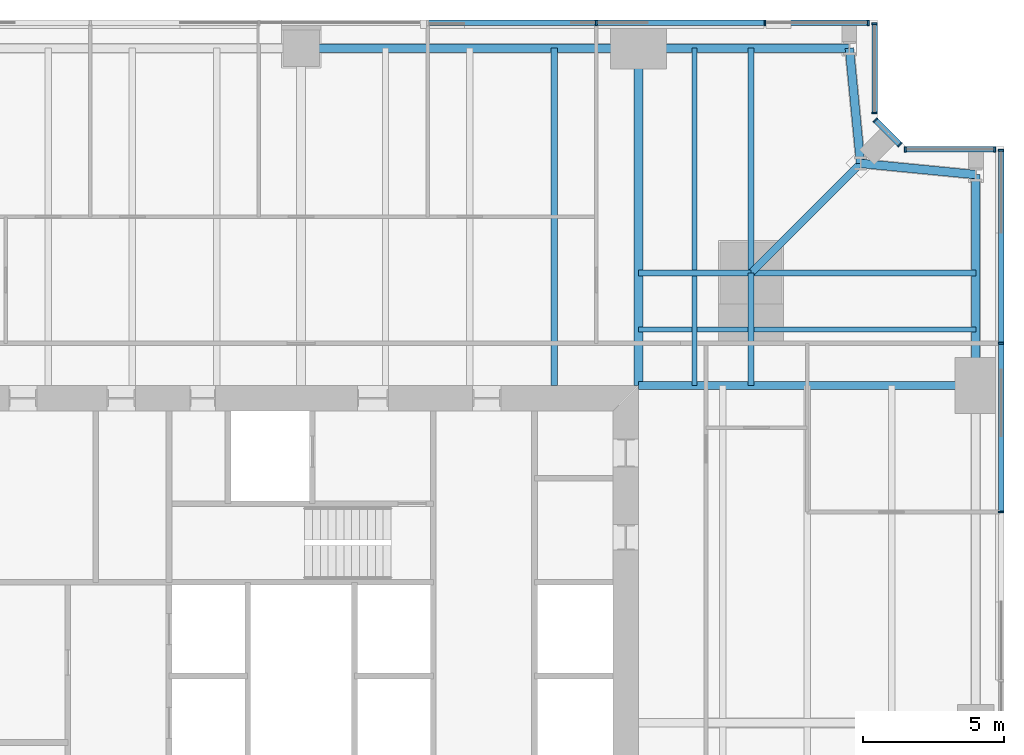
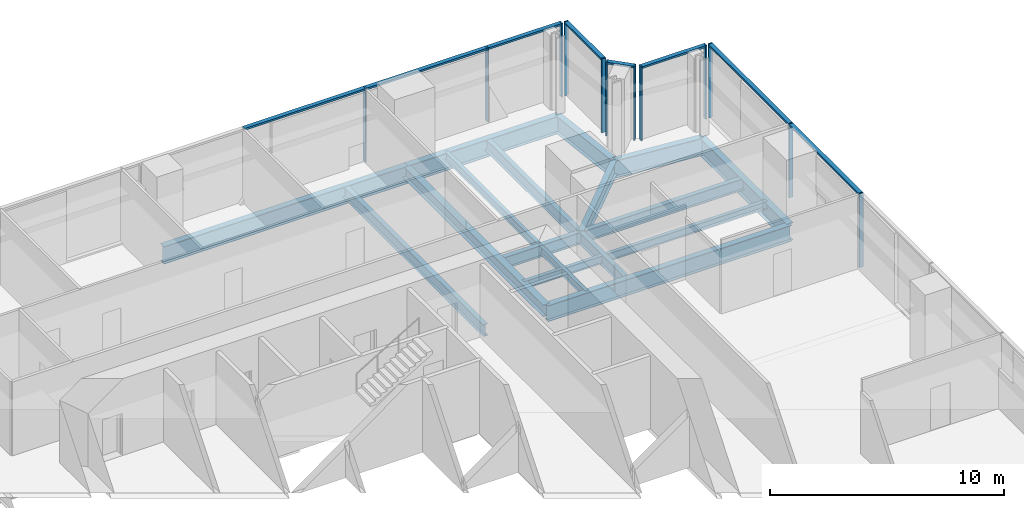
# One storey, part 7 of 14: 20 members, 18 beams, 5 elements without a shape of their own.
"""IFC4 building model written with IfcOpenShell, lengths in metres."""

from ifc_helpers import new_model, si_unit, direction, frame, origin, origin_2d, place, context, subcontext, project, spatial, rectangle, i_section, extrude, material, material_profile, profile_set, type_object, element, aggregate, save


model = new_model("IFC4")

# Units and contexts
model_context = context("Model", 3, precision=1e-05, world=origin(), true_north=direction((0.0, 1.0)))
body_context = subcontext(model_context, "Body", "Model", "MODEL_VIEW")
ifc_project = project(units=[si_unit("LENGTHUNIT", "METRE"), si_unit("AREAUNIT", "SQUARE_METRE"), si_unit("VOLUMEUNIT", "CUBIC_METRE"), si_unit("PLANEANGLEUNIT", "RADIAN"), si_unit("MASSUNIT", "GRAM", prefix="KILO")], contexts=[model_context])

# Site, building, storey
site_placement = place(None, origin())
site = spatial("IfcSite", under=ifc_project, at=site_placement, CompositionType="ELEMENT")
building_placement = place(site_placement, origin())
building = spatial("IfcBuilding", under=site, at=building_placement, Name="Fenwick Lantern Interchange", CompositionType="ELEMENT")
storey_placement = place(building_placement, frame((0.0, 0.0, 154.39990234375)))
storey = spatial("IfcBuildingStorey", under=building, at=storey_placement, Name="L36", CompositionType="ELEMENT", Elevation=154.39990234375)

# Beams
ifc_material_1 = material(Name="Steel ASTM A992 Grade 50", Category="steel")
ifc_material_profile_1 = material_profile(ifc_material_1, i_section(OverallWidth=0.3046875, OverallDepth=0.911865234375, WebThickness=0.015869140625, FlangeThickness=0.02392578125, at=origin_2d()), Name="W36X150")
ifc_profile_set_1 = profile_set([ifc_material_profile_1], Name="Steel ASTM A992 Grade 50")
beam_type_1 = type_object("IfcBeamType", Name="EDGE BEAM W36X150", PredefinedType="SPANDREL", material=ifc_profile_set_1)
beam_1_placement = place(storey_placement, frame((49.0, 37.0, -0.605712890625), z_axis=(0.0, 1.0, 0.0), x_axis=(-1.0, 0.0, 0.0)))
element("IfcBeam", 1, at=beam_1_placement, inside=storey, type_object=beam_type_1, Name="L36/FR/E/EB4", PredefinedType="SPANDREL", context=body_context, shape_type="SweptSolid", body=[
    extrude(i_section(OverallWidth=0.3046875, OverallDepth=0.911865234375, WebThickness=0.015869140625, FlangeThickness=0.02392578125, at=origin_2d()), origin(), (0.0, 0.0, 1.0), 7.5),
])
for number, where, z_axis, x_axis, name in (
    (2, (49.0, 44.5, -0.605712890625), (-0.995277148028, 0.097074191287, 0.0), (-0.097074191287, -0.995277148028, 0.0), "L36/FR/E/EBR1"),
    (3, (44.89990234375, 44.89990234375, -0.605712890625), (-0.097074191287, 0.995277148028, 0.0), (-0.995277148028, -0.097074191287, 0.0), "L36/FR/E/EBR2"),
):
    element("IfcBeam", number, at=place(storey_placement, frame(where, z_axis=z_axis, x_axis=x_axis)), inside=storey, type_object=beam_type_1, Name=name, PredefinedType="SPANDREL", context=body_context, shape_type="SweptSolid", body=[
        extrude(i_section(OverallWidth=0.3046875, OverallDepth=0.911865234375, WebThickness=0.015869140625, FlangeThickness=0.02392578125, at=origin_2d()), origin(), (0.0, 0.0, 1.0), 4.11962890625),
    ])
beam_2_placement = place(storey_placement, frame((44.5, 49.0, -0.605712890625), z_axis=(-1.0, 0.0, 0.0), x_axis=(0.0, -1.0, 0.0)))
element("IfcBeam", 4, at=beam_2_placement, inside=storey, type_object=beam_type_1, Name="L36/FR/N/EB1", PredefinedType="SPANDREL", context=body_context, shape_type="SweptSolid", body=[
    extrude(i_section(OverallWidth=0.3046875, OverallDepth=0.911865234375, WebThickness=0.015869140625, FlangeThickness=0.02392578125, at=origin_2d()), origin(), (0.0, 0.0, 1.0), 7.5),
])
beam_3_placement = place(storey_placement, frame((37.0, 49.0, -0.605712890625), z_axis=(-1.0, 0.0, 0.0), x_axis=(0.0, -1.0, 0.0)))
element("IfcBeam", 5, at=beam_3_placement, inside=storey, type_object=beam_type_1, Name="L36/FR/N/EB2", PredefinedType="SPANDREL", context=body_context, shape_type="SweptSolid", body=[
    extrude(i_section(OverallWidth=0.3046875, OverallDepth=0.911865234375, WebThickness=0.015869140625, FlangeThickness=0.02392578125, at=origin_2d()), origin(), (0.0, 0.0, 1.0), 12.0),
])
ifc_material_profile_2 = material_profile(ifc_material_1, i_section(OverallWidth=0.22900390625, OverallDepth=0.612060546875, WebThickness=0.011962890625, FlangeThickness=0.01953125, at=origin_2d()), Name="W24X84")
ifc_profile_set_2 = profile_set([ifc_material_profile_2], Name="Steel ASTM A992 Grade 50")
beam_type_2 = type_object("IfcBeamType", Name="FLOOR BEAM W24X84", PredefinedType="BEAM", material=ifc_profile_set_2)
beam_4_placement = place(storey_placement, frame((34.0, 49.0, -0.4560546875), z_axis=(0.0, -1.0, 0.0), x_axis=(1.0, 0.0, 0.0)))
element("IfcBeam", 6, at=beam_4_placement, inside=storey, type_object=beam_type_2, Name="L36/FR/N/R02", PredefinedType="BEAM", context=body_context, shape_type="SweptSolid", body=[
    extrude(i_section(OverallWidth=0.22900390625, OverallDepth=0.612060546875, WebThickness=0.011962890625, FlangeThickness=0.01953125, at=origin_2d()), origin(), (0.0, 0.0, 1.0), 12.0),
])
ifc_material_profile_3 = material_profile(ifc_material_1, i_section(OverallWidth=0.177734375, OverallDepth=0.406494140625, WebThickness=0.0078125, FlangeThickness=0.012939453125, at=origin_2d()), Name="W16X40")
ifc_profile_set_3 = profile_set([ifc_material_profile_3], Name="Steel ASTM A992 Grade 50")
beam_type_3 = type_object("IfcBeamType", Name="INFILL BEAM W16X40", PredefinedType="JOIST", material=ifc_profile_set_3)
beam_5_placement = place(storey_placement, frame((39.0, 49.0, -0.35302734375), z_axis=(0.0, -1.0, 0.0), x_axis=(1.0, 0.0, 0.0)))
element("IfcBeam", 7, at=beam_5_placement, inside=storey, type_object=beam_type_3, Name="L36/FR/N/J1", PredefinedType="JOIST", context=body_context, shape_type="SweptSolid", body=[
    extrude(i_section(OverallWidth=0.177734375, OverallDepth=0.406494140625, WebThickness=0.0078125, FlangeThickness=0.012939453125, at=origin_2d()), origin(), (0.0, 0.0, 1.0), 7.885498046875),
])
beam_6_placement = place(storey_placement, frame((39.0, 40.885498046875, -0.35302734375), z_axis=(0.0, -1.0, 0.0), x_axis=(1.0, 0.0, 0.0)))
element("IfcBeam", 8, at=beam_6_placement, inside=storey, type_object=beam_type_3, Name="L36/FR/N/J2", PredefinedType="JOIST", context=body_context, shape_type="SweptSolid", body=[
    extrude(i_section(OverallWidth=0.177734375, OverallDepth=0.406494140625, WebThickness=0.0078125, FlangeThickness=0.012939453125, at=origin_2d()), origin(), (0.0, 0.0, 1.0), 3.885498046875),
])
beam_7_placement = place(storey_placement, frame((49.0, 39.0, -0.35302734375), z_axis=(-1.0, 0.0, 0.0), x_axis=(0.0, -1.0, 0.0)))
element("IfcBeam", 9, at=beam_7_placement, inside=storey, type_object=beam_type_3, Name="L36/FR/N/J3", PredefinedType="JOIST", context=body_context, shape_type="SweptSolid", body=[
    extrude(i_section(OverallWidth=0.177734375, OverallDepth=0.406494140625, WebThickness=0.0078125, FlangeThickness=0.012939453125, at=origin_2d()), origin(), (0.0, 0.0, 1.0), 7.885498046875),
])
beam_8_placement = place(storey_placement, frame((40.885498046875, 39.0, -0.35302734375), z_axis=(-1.0, 0.0, 0.0), x_axis=(0.0, -1.0, 0.0)))
element("IfcBeam", 10, at=beam_8_placement, inside=storey, type_object=beam_type_3, Name="L36/FR/N/J4", PredefinedType="JOIST", context=body_context, shape_type="SweptSolid", body=[
    extrude(i_section(OverallWidth=0.177734375, OverallDepth=0.406494140625, WebThickness=0.0078125, FlangeThickness=0.012939453125, at=origin_2d()), origin(), (0.0, 0.0, 1.0), 1.796630859375),
])
beam_9_placement = place(storey_placement, frame((38.9111328125, 39.0, -0.35302734375), z_axis=(-1.0, 0.0, 0.0), x_axis=(0.0, -1.0, 0.0)))
element("IfcBeam", 11, at=beam_9_placement, inside=storey, type_object=beam_type_3, Name="L36/FR/N/J5", PredefinedType="JOIST", context=body_context, shape_type="SweptSolid", body=[
    extrude(i_section(OverallWidth=0.177734375, OverallDepth=0.406494140625, WebThickness=0.0078125, FlangeThickness=0.012939453125, at=origin_2d()), origin(), (0.0, 0.0, 1.0), 1.9111328125),
])
ifc_material_profile_4 = material_profile(ifc_material_1, i_section(OverallWidth=0.22900390625, OverallDepth=0.612060546875, WebThickness=0.011962890625, FlangeThickness=0.01953125, at=origin_2d()), Name="W24X84")
ifc_profile_set_4 = profile_set([ifc_material_profile_4], Name="Steel ASTM A992 Grade 50")
beam_type_4 = type_object("IfcBeamType", Name="MEGA COLUMN BEAM W24X84", PredefinedType="BEAM", material=ifc_profile_set_4)
for number, where, z_axis, x_axis, name in (
    (12, (41.0, 41.0, -0.4560546875), (0.0, 1.0, 0.0), (-1.0, 0.0, 0.0), "L36/FR/N/MB1"),
    (13, (41.0, 41.0, -0.4560546875), (1.0, 0.0, 0.0), (0.0, 1.0, 0.0), "L36/FR/N/MB2"),
):
    element("IfcBeam", number, at=place(storey_placement, frame(where, z_axis=z_axis, x_axis=x_axis)), inside=storey, type_object=beam_type_4, Name=name, PredefinedType="BEAM", context=body_context, shape_type="SweptSolid", body=[
        extrude(i_section(OverallWidth=0.22900390625, OverallDepth=0.612060546875, WebThickness=0.011962890625, FlangeThickness=0.01953125, at=origin_2d()), origin(), (0.0, 0.0, 1.0), 8.0),
    ])
for number, where, z_axis, x_axis, name in (
    (14, (41.0, 41.0, -0.4560546875), (-1.0, 0.0, 0.0), (0.0, -1.0, 0.0), "L36/FR/N/MB3"),
    (15, (41.0, 41.0, -0.4560546875), (0.0, -1.0, 0.0), (1.0, 0.0, 0.0), "L36/FR/N/MB4"),
):
    element("IfcBeam", number, at=place(storey_placement, frame(where, z_axis=z_axis, x_axis=x_axis)), inside=storey, type_object=beam_type_4, Name=name, PredefinedType="BEAM", context=body_context, shape_type="SweptSolid", body=[
        extrude(i_section(OverallWidth=0.22900390625, OverallDepth=0.612060546875, WebThickness=0.011962890625, FlangeThickness=0.01953125, at=origin_2d()), origin(), (0.0, 0.0, 1.0), 4.0),
    ])
ifc_material_profile_5 = material_profile(ifc_material_1, i_section(OverallWidth=0.32763671875, OverallDepth=0.622314453125, WebThickness=0.015380859375, FlangeThickness=0.0244140625, at=origin_2d()), Name="W24X131")
ifc_profile_set_5 = profile_set([ifc_material_profile_5], Name="Steel ASTM A992 Grade 50")
beam_type_5 = type_object("IfcBeamType", Name="MOMENT-CONNECTED GIRDER W24X131", PredefinedType="BEAM", material=ifc_profile_set_5)
beam_10_placement = place(storey_placement, frame((37.0, 49.0, -0.4609375), z_axis=(0.0, -1.0, 0.0), x_axis=(1.0, 0.0, 0.0)))
element("IfcBeam", 16, at=beam_10_placement, inside=storey, type_object=beam_type_5, Name="L36/FR/N/R01", PredefinedType="BEAM", context=body_context, shape_type="SweptSolid", body=[
    extrude(i_section(OverallWidth=0.32763671875, OverallDepth=0.622314453125, WebThickness=0.015380859375, FlangeThickness=0.0244140625, at=origin_2d()), origin(), (0.0, 0.0, 1.0), 12.0),
])
ifc_material_profile_6 = material_profile(ifc_material_1, i_section(OverallWidth=0.2919921875, OverallDepth=0.845703125, WebThickness=0.015380859375, FlangeThickness=0.0244140625, at=origin_2d()), Name="W33X141")
ifc_profile_set_6 = profile_set([ifc_material_profile_6], Name="Steel ASTM A992 Grade 50")
beam_type_6 = type_object("IfcBeamType", Name="MOMENT-CONNECTED GIRDER W33X141", PredefinedType="BEAM", material=ifc_profile_set_6)
beam_11_placement = place(storey_placement, frame((49.0, 37.0, -0.57275390625), z_axis=(-1.0, 0.0, 0.0), x_axis=(0.0, -1.0, 0.0)))
element("IfcBeam", 17, at=beam_11_placement, inside=storey, type_object=beam_type_6, Name="L36/FR/E/R03", PredefinedType="BEAM", context=body_context, shape_type="SweptSolid", body=[
    extrude(i_section(OverallWidth=0.2919921875, OverallDepth=0.845703125, WebThickness=0.015380859375, FlangeThickness=0.0244140625, at=origin_2d()), origin(), (0.0, 0.0, 1.0), 12.0),
])
ifc_material_profile_7 = material_profile(ifc_material_1, i_section(OverallWidth=0.2666015625, OverallDepth=0.7568359375, WebThickness=0.013916015625, FlangeThickness=0.019287109375, at=origin_2d()), Name="W30X108")
ifc_profile_set_7 = profile_set([ifc_material_profile_7], Name="Steel ASTM A992 Grade 50")
beam_type_7 = type_object("IfcBeamType", Name="NOTCH BEAM W30X108", PredefinedType="BEAM", material=ifc_profile_set_7)
beam_12_placement = place(storey_placement, frame((41.0, 41.0, -0.5283203125), z_axis=(0.707106781187, 0.707106781187, 0.0), x_axis=(-0.707106781187, 0.707106781187, 0.0)))
element("IfcBeam", 18, at=beam_12_placement, inside=storey, type_object=beam_type_7, Name="L36/FR/N/TG", PredefinedType="BEAM", context=body_context, shape_type="SweptSolid", body=[
    extrude(i_section(OverallWidth=0.2666015625, OverallDepth=0.7568359375, WebThickness=0.013916015625, FlangeThickness=0.019287109375, at=origin_2d()), origin(), (0.0, 0.0, 1.0), 5.515380859375),
])

# Curtain wall, members
ifc_material_2 = material(Name="Aluminium curtain wall frame", Category="aluminium")
curtain_wall_type = type_object("IfcCurtainWallType", Name="OFFICE CURTAIN WALL", PredefinedType="USERDEFINED", material=ifc_material_2)
curtain_wall_1_placement = place(storey_placement, origin())
curtain_wall_1 = element("IfcCurtainWall", 19, at=curtain_wall_1_placement, inside=storey, type_object=curtain_wall_type, Name="Office curtain wall 05", ObjectType="OFFICE CURTAIN WALL", PredefinedType="USERDEFINED")
ifc_material_3 = material(Name="Aluminium extrusion", Category="aluminium")
ifc_material_profile_8 = material_profile(ifc_material_3, rectangle(XDim=0.199951171875, YDim=0.06494140625, at=origin_2d()), Name="OFFICE CURTAIN WALL MULLION 65 X 200")
ifc_profile_set_8 = profile_set([ifc_material_profile_8], Name="Aluminium extrusion")
member_type_1 = type_object("IfcMemberType", Name="OFFICE CURTAIN WALL MULLION 65 X 200", PredefinedType="MULLION", material=ifc_profile_set_8)
member_1_placement = place(storey_placement, frame((49.89990234375, 32.5, 0.0), z_axis=(0.0, 0.0, 1.0), x_axis=(-1.0, 0.0, 0.0)))
member_1 = element("IfcMember", 20, at=member_1_placement, type_object=member_type_1, Name="L36/CW/05/M05", PredefinedType="MULLION", context=body_context, shape_type="SweptSolid", body=[
    extrude(rectangle(XDim=0.199951171875, YDim=0.06494140625, at=origin_2d()), origin(), (0.0, 0.0, 1.0), 3.85009765625),
])
member_2_placement = place(storey_placement, frame((49.89990234375, 38.5, 0.0), z_axis=(0.0, 0.0, 1.0), x_axis=(-1.0, 0.0, 0.0)))
member_2 = element("IfcMember", 21, at=member_2_placement, type_object=member_type_1, Name="L36/CW/05/M06", PredefinedType="MULLION", context=body_context, shape_type="SweptSolid", body=[
    extrude(rectangle(XDim=0.199951171875, YDim=0.06494140625, at=origin_2d()), origin(), (0.0, 0.0, 1.0), 3.85009765625),
])
member_3_placement = place(storey_placement, frame((49.89990234375, 45.367431640625, 0.0), z_axis=(0.0, 0.0, 1.0), x_axis=(-1.0, 0.0, 0.0)))
member_3 = element("IfcMember", 22, at=member_3_placement, type_object=member_type_1, Name="L36/CW/05/M07", PredefinedType="MULLION", context=body_context, shape_type="SweptSolid", body=[
    extrude(rectangle(XDim=0.199951171875, YDim=0.06494140625, at=origin_2d()), origin(), (0.0, 0.0, 1.0), 3.85009765625),
])

curtain_wall_2_placement = place(storey_placement, origin())
curtain_wall_2 = element("IfcCurtainWall", 23, at=curtain_wall_2_placement, inside=storey, type_object=curtain_wall_type, Name="Office curtain wall 06", ObjectType="OFFICE CURTAIN WALL", PredefinedType="USERDEFINED")
member_4_placement = place(storey_placement, frame((49.66748046875, 45.39990234375, 0.0), z_axis=(0.0, 0.0, 1.0), x_axis=(0.0, -1.0, 0.0)))
member_4 = element("IfcMember", 24, at=member_4_placement, type_object=member_type_1, Name="L36/CW/06/M00", PredefinedType="MULLION", context=body_context, shape_type="SweptSolid", body=[
    extrude(rectangle(XDim=0.199951171875, YDim=0.06494140625, at=origin_2d()), origin(), (0.0, 0.0, 1.0), 3.85009765625),
])
member_5_placement = place(storey_placement, frame((46.490966796875, 45.39990234375, 0.0), z_axis=(0.0, 0.0, 1.0), x_axis=(0.0, -1.0, 0.0)))
member_5 = element("IfcMember", 25, at=member_5_placement, type_object=member_type_1, Name="L36/CW/06/M01", PredefinedType="MULLION", context=body_context, shape_type="SweptSolid", body=[
    extrude(rectangle(XDim=0.199951171875, YDim=0.06494140625, at=origin_2d()), origin(), (0.0, 0.0, 1.0), 3.85009765625),
])

curtain_wall_3_placement = place(storey_placement, origin())
curtain_wall_3 = element("IfcCurtainWall", 26, at=curtain_wall_3_placement, inside=storey, type_object=curtain_wall_type, Name="Office curtain wall 07", ObjectType="OFFICE CURTAIN WALL", PredefinedType="USERDEFINED")
member_6_placement = place(storey_placement, frame((46.294189453125, 45.564453125, 0.0), z_axis=(0.0, 0.0, 1.0), x_axis=(-0.707106781187, -0.707106781187, 0.0)))
member_6 = element("IfcMember", 27, at=member_6_placement, type_object=member_type_1, Name="L36/CW/07/M00", PredefinedType="MULLION", context=body_context, shape_type="SweptSolid", body=[
    extrude(rectangle(XDim=0.199951171875, YDim=0.06494140625, at=origin_2d()), origin(), (0.0, 0.0, 1.0), 3.85009765625),
])
member_7_placement = place(storey_placement, frame((45.423095703125, 46.435546875, 0.0), z_axis=(0.0, 0.0, 1.0), x_axis=(-0.707106781187, -0.707106781187, 0.0)))
member_7 = element("IfcMember", 28, at=member_7_placement, type_object=member_type_1, Name="L36/CW/07/M01", PredefinedType="MULLION", context=body_context, shape_type="SweptSolid", body=[
    extrude(rectangle(XDim=0.199951171875, YDim=0.06494140625, at=origin_2d()), origin(), (0.0, 0.0, 1.0), 3.85009765625),
])

curtain_wall_4_placement = place(storey_placement, origin())
curtain_wall_4 = element("IfcCurtainWall", 29, at=curtain_wall_4_placement, inside=storey, type_object=curtain_wall_type, Name="Office curtain wall 08", ObjectType="OFFICE CURTAIN WALL", PredefinedType="USERDEFINED")
member_8_placement = place(storey_placement, frame((45.39990234375, 46.691162109375, 0.0), z_axis=(0.0, 0.0, 1.0), x_axis=(-1.0, 0.0, 0.0)))
member_8 = element("IfcMember", 30, at=member_8_placement, type_object=member_type_1, Name="L36/CW/08/M00", PredefinedType="MULLION", context=body_context, shape_type="SweptSolid", body=[
    extrude(rectangle(XDim=0.199951171875, YDim=0.06494140625, at=origin_2d()), origin(), (0.0, 0.0, 1.0), 3.85009765625),
])
member_9_placement = place(storey_placement, frame((45.39990234375, 49.867431640625, 0.0), z_axis=(0.0, 0.0, 1.0), x_axis=(-1.0, 0.0, 0.0)))
member_9 = element("IfcMember", 31, at=member_9_placement, type_object=member_type_1, Name="L36/CW/08/M01", PredefinedType="MULLION", context=body_context, shape_type="SweptSolid", body=[
    extrude(rectangle(XDim=0.199951171875, YDim=0.06494140625, at=origin_2d()), origin(), (0.0, 0.0, 1.0), 3.85009765625),
])

curtain_wall_5_placement = place(storey_placement, origin())
curtain_wall_5 = element("IfcCurtainWall", 32, at=curtain_wall_5_placement, inside=storey, type_object=curtain_wall_type, Name="Office curtain wall 09", ObjectType="OFFICE CURTAIN WALL", PredefinedType="USERDEFINED")
member_10_placement = place(storey_placement, frame((45.16748046875, 49.89990234375, 0.0), z_axis=(0.0, 0.0, 1.0), x_axis=(0.0, -1.0, 0.0)))
member_10 = element("IfcMember", 33, at=member_10_placement, type_object=member_type_1, Name="L36/CW/09/M00", PredefinedType="MULLION", context=body_context, shape_type="SweptSolid", body=[
    extrude(rectangle(XDim=0.199951171875, YDim=0.06494140625, at=origin_2d()), origin(), (0.0, 0.0, 1.0), 3.85009765625),
])
member_11_placement = place(storey_placement, frame((41.5, 49.89990234375, 0.0), z_axis=(0.0, 0.0, 1.0), x_axis=(0.0, -1.0, 0.0)))
member_11 = element("IfcMember", 34, at=member_11_placement, type_object=member_type_1, Name="L36/CW/09/M01", PredefinedType="MULLION", context=body_context, shape_type="SweptSolid", body=[
    extrude(rectangle(XDim=0.199951171875, YDim=0.06494140625, at=origin_2d()), origin(), (0.0, 0.0, 1.0), 3.85009765625),
])
member_12_placement = place(storey_placement, frame((35.5, 49.89990234375, 0.0), z_axis=(0.0, 0.0, 1.0), x_axis=(0.0, -1.0, 0.0)))
member_12 = element("IfcMember", 35, at=member_12_placement, type_object=member_type_1, Name="L36/CW/09/M02", PredefinedType="MULLION", context=body_context, shape_type="SweptSolid", body=[
    extrude(rectangle(XDim=0.199951171875, YDim=0.06494140625, at=origin_2d()), origin(), (0.0, 0.0, 1.0), 3.85009765625),
])

# Member
ifc_material_profile_9 = material_profile(ifc_material_3, rectangle(XDim=0.199951171875, YDim=0.10009765625, at=origin_2d()), Name="OFFICE CURTAIN WALL TRANSOM 100 X 200")
ifc_profile_set_9 = profile_set([ifc_material_profile_9], Name="Aluminium extrusion")
member_type_2 = type_object("IfcMemberType", Name="OFFICE CURTAIN WALL TRANSOM 100 X 200", PredefinedType="MULLION", material=ifc_profile_set_9)
member_13_placement = place(storey_placement, frame((49.89990234375, 32.532470703125, 3.800048828125), z_axis=(0.0, 1.0, 0.0), x_axis=(-1.0, 0.0, 0.0)))
member_13 = element("IfcMember", 36, at=member_13_placement, type_object=member_type_2, Name="L36/CW/05/T05", PredefinedType="MULLION", context=body_context, shape_type="SweptSolid", body=[
    extrude(rectangle(XDim=0.199951171875, YDim=0.10009765625, at=origin_2d()), origin(), (0.0, 0.0, 1.0), 5.93505859375),
])

member_14_placement = place(storey_placement, frame((49.89990234375, 38.532470703125, 3.800048828125), z_axis=(0.0, 1.0, 0.0), x_axis=(-1.0, 0.0, 0.0)))
member_14 = element("IfcMember", 37, at=member_14_placement, type_object=member_type_2, Name="L36/CW/05/T06", PredefinedType="MULLION", context=body_context, shape_type="SweptSolid", body=[
    extrude(rectangle(XDim=0.199951171875, YDim=0.10009765625, at=origin_2d()), origin(), (0.0, 0.0, 1.0), 6.802490234375),
])

aggregate(curtain_wall_1, [member_1, member_2, member_3, member_13, member_14])

member_15_placement = place(storey_placement, frame((49.635009765625, 45.39990234375, 3.800048828125), z_axis=(-1.0, 0.0, 0.0), x_axis=(0.0, -1.0, 0.0)))
member_15 = element("IfcMember", 38, at=member_15_placement, type_object=member_type_2, Name="L36/CW/06/T00", PredefinedType="MULLION", context=body_context, shape_type="SweptSolid", body=[
    extrude(rectangle(XDim=0.199951171875, YDim=0.10009765625, at=origin_2d()), origin(), (0.0, 0.0, 1.0), 3.111328125),
])

aggregate(curtain_wall_2, [member_4, member_5, member_15])

member_16_placement = place(storey_placement, frame((46.271240234375, 45.58740234375, 3.800048828125), z_axis=(-0.707106781187, 0.707106781187, 0.0), x_axis=(-0.707106781187, -0.707106781187, 0.0)))
member_16 = element("IfcMember", 39, at=member_16_placement, type_object=member_type_2, Name="L36/CW/07/T00", PredefinedType="MULLION", context=body_context, shape_type="SweptSolid", body=[
    extrude(rectangle(XDim=0.199951171875, YDim=0.10009765625, at=origin_2d()), origin(), (0.0, 0.0, 1.0), 1.1669921875),
])

aggregate(curtain_wall_3, [member_6, member_7, member_16])

member_17_placement = place(storey_placement, frame((45.39990234375, 46.7236328125, 3.800048828125), z_axis=(0.0, 1.0, 0.0), x_axis=(-1.0, 0.0, 0.0)))
member_17 = element("IfcMember", 40, at=member_17_placement, type_object=member_type_2, Name="L36/CW/08/T00", PredefinedType="MULLION", context=body_context, shape_type="SweptSolid", body=[
    extrude(rectangle(XDim=0.199951171875, YDim=0.10009765625, at=origin_2d()), origin(), (0.0, 0.0, 1.0), 3.111328125),
])

aggregate(curtain_wall_4, [member_8, member_9, member_17])

member_18_placement = place(storey_placement, frame((45.135009765625, 49.89990234375, 3.800048828125), z_axis=(-1.0, 0.0, 0.0), x_axis=(0.0, -1.0, 0.0)))
member_18 = element("IfcMember", 41, at=member_18_placement, type_object=member_type_2, Name="L36/CW/09/T00", PredefinedType="MULLION", context=body_context, shape_type="SweptSolid", body=[
    extrude(rectangle(XDim=0.199951171875, YDim=0.10009765625, at=origin_2d()), origin(), (0.0, 0.0, 1.0), 3.6025390625),
])

member_19_placement = place(storey_placement, frame((41.467529296875, 49.89990234375, 3.800048828125), z_axis=(-1.0, 0.0, 0.0), x_axis=(0.0, -1.0, 0.0)))
member_19 = element("IfcMember", 42, at=member_19_placement, type_object=member_type_2, Name="L36/CW/09/T01", PredefinedType="MULLION", context=body_context, shape_type="SweptSolid", body=[
    extrude(rectangle(XDim=0.199951171875, YDim=0.10009765625, at=origin_2d()), origin(), (0.0, 0.0, 1.0), 5.93505859375),
])

member_20_placement = place(storey_placement, frame((35.467529296875, 49.89990234375, 3.800048828125), z_axis=(-1.0, 0.0, 0.0), x_axis=(0.0, -1.0, 0.0)))
member_20 = element("IfcMember", 43, at=member_20_placement, type_object=member_type_2, Name="L36/CW/09/T02", PredefinedType="MULLION", context=body_context, shape_type="SweptSolid", body=[
    extrude(rectangle(XDim=0.199951171875, YDim=0.10009765625, at=origin_2d()), origin(), (0.0, 0.0, 1.0), 5.93505859375),
])

aggregate(curtain_wall_5, [member_10, member_11, member_12, member_18, member_19, member_20])

save(model, "model.ifc")
